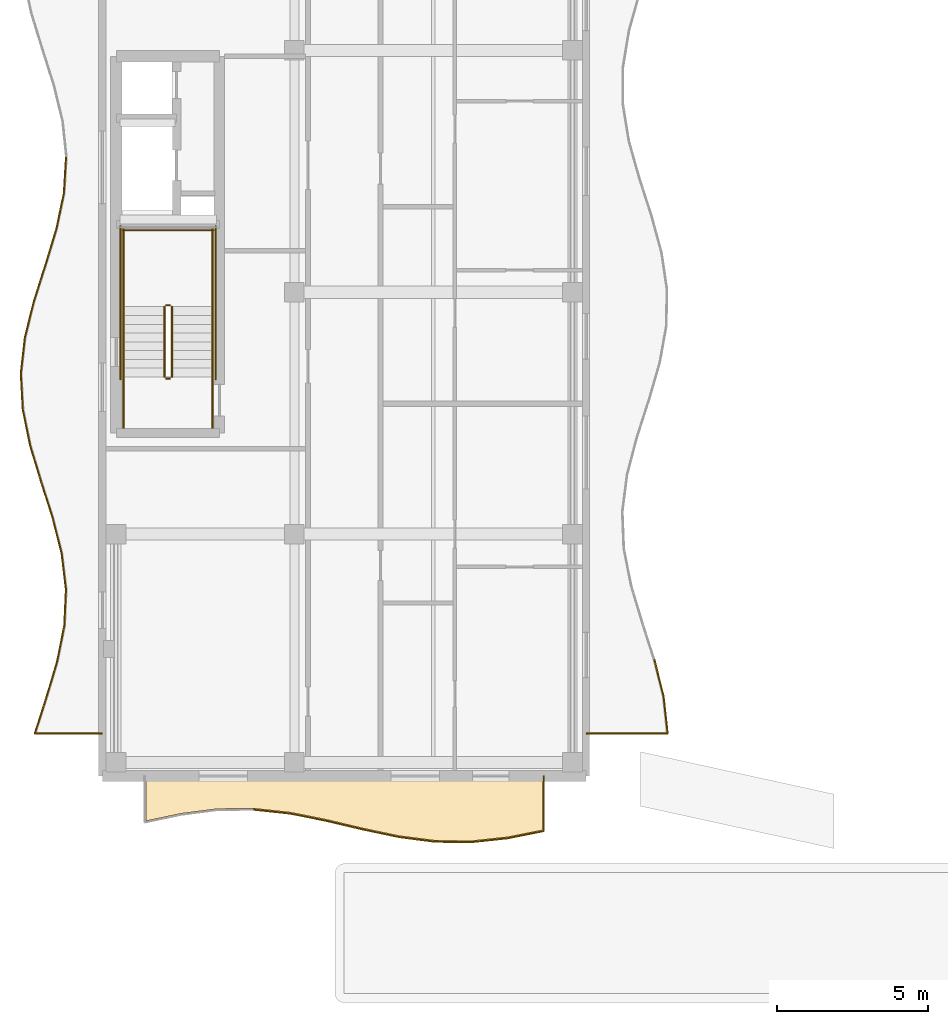
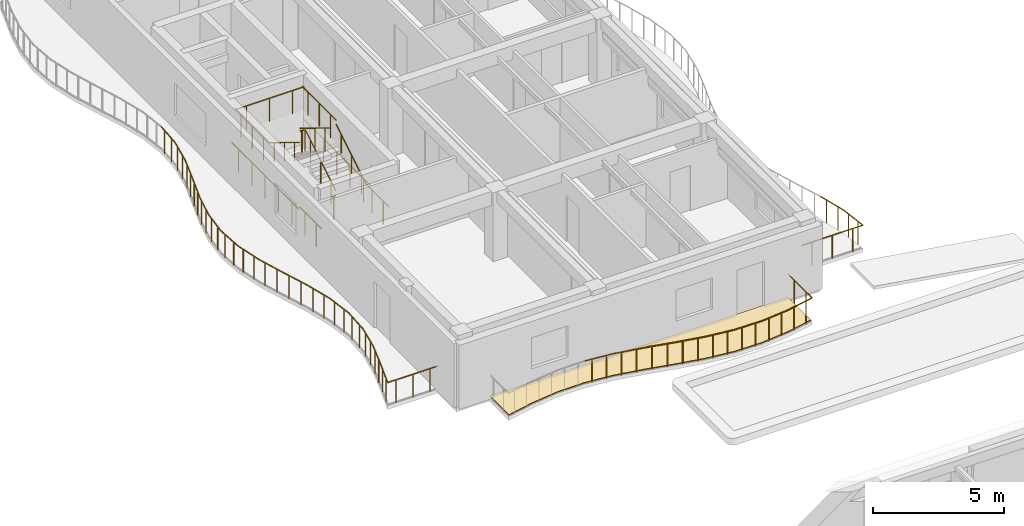
# One storey, part 103 of 128: 42 railings, 1 covering.
"""IFC4 building model written with IfcOpenShell, lengths in metres."""

from ifc_helpers import new_model, si_unit, direction, frame, origin, origin_2d, place, context, subcontext, project, spatial, polyline, circle, outline, extrude, material, layer, layer_set, type_object, element, save


model = new_model("IFC4")

# Units and contexts
model_context = context("Model", 3, precision=1e-05, world=origin(), true_north=direction((0.0, 1.0)))
body_context = subcontext(model_context, "Body", "Model", "MODEL_VIEW")
ifc_project = project(units=[si_unit("LENGTHUNIT", "METRE"), si_unit("AREAUNIT", "SQUARE_METRE"), si_unit("VOLUMEUNIT", "CUBIC_METRE"), si_unit("PLANEANGLEUNIT", "RADIAN"), si_unit("MASSUNIT", "GRAM", prefix="KILO")], contexts=[model_context])

# Site, building, storey
site_placement = place(None, origin())
site = spatial("IfcSite", under=ifc_project, at=site_placement, CompositionType="ELEMENT")
building_placement = place(site_placement, origin())
building = spatial("IfcBuilding", under=site, at=building_placement, Name="Keldmere Railside Commons", CompositionType="ELEMENT")
storey_placement = place(building_placement, frame((0.0, 0.0, 4.159912109375)))
storey = spatial("IfcBuildingStorey", under=building, at=storey_placement, Name="L01", CompositionType="ELEMENT", Elevation=4.159912109375)

# Railings
ifc_material_1 = material(Name="Steel F-24 (S235)", Category="steel")
railing_type_1 = type_object("IfcRailingType", Name="Balcony & Terrace Steel Balustrade 1100", PredefinedType="BALUSTRADE", material=ifc_material_1)
railing_1_placement = place(storey_placement, frame((24.0, 57.39990234375, 0.0)))
element("IfcRailing", 1, at=railing_1_placement, inside=storey, type_object=railing_type_1, Name="GR-1 GRD-L01-0029", PredefinedType="BALUSTRADE", context=body_context, shape_type="SweptSolid", body=[
    extrude(circle(Radius=0.02392578125, at=origin_2d()), frame((0.0, 0.0, 1.076171875), z_axis=(1.0, 0.0, 0.0), x_axis=(0.0, 1.0, 0.0)), (0.0, 0.0, 1.0), 2.697509765625),
    extrude(circle(Radius=0.02099609375, at=origin_2d()), frame((0.44970703125, 0.0, 0.0)), (0.0, 0.0, 1.0), 1.048095703125),
    extrude(circle(Radius=0.02099609375, at=origin_2d()), frame((1.3486328125, 0.0, 0.0)), (0.0, 0.0, 1.0), 1.048095703125),
    extrude(circle(Radius=0.02099609375, at=origin_2d()), frame((2.248046875, 0.0, 0.0)), (0.0, 0.0, 1.0), 1.048095703125),
])
railing_2_placement = place(storey_placement, frame((26.697509765625, 57.39990234375, 0.0)))
element("IfcRailing", 2, at=railing_2_placement, inside=storey, type_object=railing_type_1, Name="GR-1 GRD-L01-0030", PredefinedType="BALUSTRADE", context=body_context, shape_type="SweptSolid", body=[
    extrude(circle(Radius=0.02392578125, at=origin_2d()), frame((0.0, 0.0, 1.076171875), z_axis=(-0.109148667892, 0.994025436444, 0.0), x_axis=(-0.994025436444, -0.109148667892, 0.0)), (0.0, 0.0, 1.0), 1.232421875),
    extrude(circle(Radius=0.02099609375, at=origin_2d()), frame((-0.03369140625, 0.30615234375, 0.0)), (0.0, 0.0, 1.0), 1.048095703125),
    extrude(circle(Radius=0.02099609375, at=origin_2d()), frame((-0.100830078125, 0.9189453125, 0.0)), (0.0, 0.0, 1.0), 1.048095703125),
])
railing_3_placement = place(storey_placement, frame((26.56298828125, 58.625, 0.0)))
element("IfcRailing", 3, at=railing_3_placement, inside=storey, type_object=railing_type_1, Name="GR-1 GRD-L01-0031", PredefinedType="BALUSTRADE", context=body_context, shape_type="SweptSolid", body=[
    extrude(circle(Radius=0.02392578125, at=origin_2d()), frame((0.0, 0.0, 1.076171875), z_axis=(-0.241898608352, 0.970301532142, 0.0), x_axis=(-0.970301532142, -0.241898608352, 0.0)), (0.0, 0.0, 1.0), 1.2626953125),
    extrude(circle(Radius=0.02099609375, at=origin_2d()), frame((-0.076416015625, 0.30615234375, 0.0)), (0.0, 0.0, 1.0), 1.048095703125),
    extrude(circle(Radius=0.02099609375, at=origin_2d()), frame((-0.22900390625, 0.9189453125, 0.0)), (0.0, 0.0, 1.0), 1.048095703125),
])
railing_4_placement = place(storey_placement, frame((8.0, 57.39990234375, 0.0)))
element("IfcRailing", 4, at=railing_4_placement, inside=storey, type_object=railing_type_1, Name="GR-1 GRD-L01-0055", PredefinedType="BALUSTRADE", context=body_context, shape_type="SweptSolid", body=[
    extrude(circle(Radius=0.02392578125, at=origin_2d()), frame((0.0, 0.0, 1.076171875), z_axis=(-1.0, 0.0, 0.0), x_axis=(0.0, -1.0, 0.0)), (0.0, 0.0, 1.0), 2.236083984375),
    extrude(circle(Radius=0.02099609375, at=origin_2d()), frame((-0.37255859375, 0.0, 0.0)), (0.0, 0.0, 1.0), 1.048095703125),
    extrude(circle(Radius=0.02099609375, at=origin_2d()), frame((-1.1181640625, 0.0, 0.0)), (0.0, 0.0, 1.0), 1.048095703125),
    extrude(circle(Radius=0.02099609375, at=origin_2d()), frame((-1.86328125, 0.0, 0.0)), (0.0, 0.0, 1.0), 1.048095703125),
])
railing_5_placement = place(storey_placement, frame((5.763916015625, 57.39990234375, 0.0)))
element("IfcRailing", 5, at=railing_5_placement, inside=storey, type_object=railing_type_1, Name="GR-1 GRD-L01-0056", PredefinedType="BALUSTRADE", context=body_context, shape_type="SweptSolid", body=[
    extrude(circle(Radius=0.02392578125, at=origin_2d()), frame((0.0, 0.0, 1.076171875), z_axis=(0.305264037025, 0.952267750005, 0.0), x_axis=(-0.952267750005, 0.305264037025, 0.0)), (0.0, 0.0, 1.0), 1.251708984375),
    extrude(circle(Radius=0.02099609375, at=origin_2d()), frame((0.095458984375, 0.2978515625, 0.0)), (0.0, 0.0, 1.0), 1.048095703125),
    extrude(circle(Radius=0.02099609375, at=origin_2d()), frame((0.28662109375, 0.89404296875, 0.0)), (0.0, 0.0, 1.0), 1.048095703125),
])
railing_6_placement = place(storey_placement, frame((6.14599609375, 58.591796875, 0.0)))
element("IfcRailing", 6, at=railing_6_placement, inside=storey, type_object=railing_type_1, Name="GR-1 GRD-L01-0057", PredefinedType="BALUSTRADE", context=body_context, shape_type="SweptSolid", body=[
    extrude(circle(Radius=0.02392578125, at=origin_2d()), frame((0.0, 0.0, 1.076171875), z_axis=(0.286987685422, 0.957934271449, 0.0), x_axis=(-0.957934271449, 0.286987685422, 0.0)), (0.0, 0.0, 1.0), 1.24365234375),
    extrude(circle(Radius=0.02099609375, at=origin_2d()), frame((0.08935546875, 0.2978515625, 0.0)), (0.0, 0.0, 1.0), 1.048095703125),
    extrude(circle(Radius=0.02099609375, at=origin_2d()), frame((0.267578125, 0.8935546875, 0.0)), (0.0, 0.0, 1.0), 1.048095703125),
])
railing_7_placement = place(storey_placement, frame((6.5029296875, 59.783203125, 0.0)))
element("IfcRailing", 7, at=railing_7_placement, inside=storey, type_object=railing_type_1, Name="GR-1 GRD-L01-0058", PredefinedType="BALUSTRADE", context=body_context, shape_type="SweptSolid", body=[
    extrude(circle(Radius=0.02392578125, at=origin_2d()), frame((0.0, 0.0, 1.076171875), z_axis=(0.19507289493, 0.980788746705, 0.0), x_axis=(-0.980788746705, 0.19507289493, 0.0)), (0.0, 0.0, 1.0), 1.21533203125),
    extrude(circle(Radius=0.02099609375, at=origin_2d()), frame((0.059326171875, 0.2978515625, 0.0)), (0.0, 0.0, 1.0), 1.048095703125),
    extrude(circle(Radius=0.02099609375, at=origin_2d()), frame((0.177734375, 0.89404296875, 0.0)), (0.0, 0.0, 1.0), 1.048095703125),
])
railing_8_placement = place(storey_placement, frame((6.739990234375, 60.97509765625, 0.0)))
element("IfcRailing", 8, at=railing_8_placement, inside=storey, type_object=railing_type_1, Name="GR-1 GRD-L01-0059", PredefinedType="BALUSTRADE", context=body_context, shape_type="SweptSolid", body=[
    extrude(circle(Radius=0.02392578125, at=origin_2d()), frame((0.0, 0.0, 1.076171875), z_axis=(0.046048212282, 0.998939218444, 0.0), x_axis=(-0.998939218444, 0.046048212282, 0.0)), (0.0, 0.0, 1.0), 1.19287109375),
    extrude(circle(Radius=0.02099609375, at=origin_2d()), frame((0.013671875, 0.2978515625, 0.0)), (0.0, 0.0, 1.0), 1.048095703125),
    extrude(circle(Radius=0.02099609375, at=origin_2d()), frame((0.041259765625, 0.893798828125, 0.0)), (0.0, 0.0, 1.0), 1.048095703125),
])
railing_9_placement = place(storey_placement, frame((6.794921875, 62.166748046875, 0.0)))
element("IfcRailing", 9, at=railing_9_placement, inside=storey, type_object=railing_type_1, Name="GR-1 GRD-L01-0060", PredefinedType="BALUSTRADE", context=body_context, shape_type="SweptSolid", body=[
    extrude(circle(Radius=0.02392578125, at=origin_2d()), frame((0.0, 0.0, 1.076171875), z_axis=(-0.118599727701, 0.992942145641, 0.0), x_axis=(-0.992942145641, -0.118599727701, 0.0)), (0.0, 0.0, 1.0), 1.2001953125),
    extrude(circle(Radius=0.02099609375, at=origin_2d()), frame((-0.03564453125, 0.2978515625, 0.0)), (0.0, 0.0, 1.0), 1.048095703125),
    extrude(circle(Radius=0.02099609375, at=origin_2d()), frame((-0.106689453125, 0.893798828125, 0.0)), (0.0, 0.0, 1.0), 1.048095703125),
])
railing_10_placement = place(storey_placement, frame((6.652587890625, 63.3583984375, 0.0)))
element("IfcRailing", 10, at=railing_10_placement, inside=storey, type_object=railing_type_1, Name="GR-1 GRD-L01-0061", PredefinedType="BALUSTRADE", context=body_context, shape_type="SweptSolid", body=[
    extrude(circle(Radius=0.02392578125, at=origin_2d()), frame((0.0, 0.0, 1.076171875), z_axis=(-0.245105235708, 0.969496479328, 0.0), x_axis=(-0.969496479328, -0.245105235708, 0.0)), (0.0, 0.0, 1.0), 1.229248046875),
    extrude(circle(Radius=0.02099609375, at=origin_2d()), frame((-0.0751953125, 0.2978515625, 0.0)), (0.0, 0.0, 1.0), 1.048095703125),
    extrude(circle(Radius=0.02099609375, at=origin_2d()), frame((-0.22607421875, 0.893798828125, 0.0)), (0.0, 0.0, 1.0), 1.048095703125),
])
railing_11_placement = place(storey_placement, frame((6.351318359375, 64.550048828125, 0.0)))
element("IfcRailing", 11, at=railing_11_placement, inside=storey, type_object=railing_type_1, Name="GR-1 GRD-L01-0062", PredefinedType="BALUSTRADE", context=body_context, shape_type="SweptSolid", body=[
    extrude(circle(Radius=0.02392578125, at=origin_2d()), frame((0.0, 0.0, 1.076171875), z_axis=(-0.304612870321, 0.952476246021, 0.0), x_axis=(-0.952476246021, -0.304612870321, 0.0)), (0.0, 0.0, 1.0), 1.251220703125),
    extrude(circle(Radius=0.02099609375, at=origin_2d()), frame((-0.09521484375, 0.2978515625, 0.0)), (0.0, 0.0, 1.0), 1.048095703125),
    extrude(circle(Radius=0.02099609375, at=origin_2d()), frame((-0.285888671875, 0.893798828125, 0.0)), (0.0, 0.0, 1.0), 1.048095703125),
])
railing_12_placement = place(storey_placement, frame((5.97021484375, 65.74169921875, 0.0)))
element("IfcRailing", 12, at=railing_12_placement, inside=storey, type_object=railing_type_1, Name="GR-1 GRD-L01-0063", PredefinedType="BALUSTRADE", context=body_context, shape_type="SweptSolid", body=[
    extrude(circle(Radius=0.02392578125, at=origin_2d()), frame((0.0, 0.0, 1.076171875), z_axis=(-0.289092768352, 0.95730108706, 0.0), x_axis=(-0.95730108706, -0.289092768352, 0.0)), (0.0, 0.0, 1.0), 1.244873046875),
    extrude(circle(Radius=0.02099609375, at=origin_2d()), frame((-0.08984375, 0.2978515625, 0.0)), (0.0, 0.0, 1.0), 1.048095703125),
    extrude(circle(Radius=0.02099609375, at=origin_2d()), frame((-0.27001953125, 0.893798828125, 0.0)), (0.0, 0.0, 1.0), 1.048095703125),
])
railing_13_placement = place(storey_placement, frame((5.6103515625, 66.933349609375, 0.0)))
element("IfcRailing", 13, at=railing_13_placement, inside=storey, type_object=railing_type_1, Name="GR-1 GRD-L01-0064", PredefinedType="BALUSTRADE", context=body_context, shape_type="SweptSolid", body=[
    extrude(circle(Radius=0.02392578125, at=origin_2d()), frame((0.0, 0.0, 1.076171875), z_axis=(-0.200514454631, 0.979690743798, 0.0), x_axis=(-0.979690743798, -0.200514454631, 0.0)), (0.0, 0.0, 1.0), 1.21630859375),
    extrude(circle(Radius=0.02099609375, at=origin_2d()), frame((-0.06103515625, 0.2978515625, 0.0)), (0.0, 0.0, 1.0), 1.048095703125),
    extrude(circle(Radius=0.02099609375, at=origin_2d()), frame((-0.182861328125, 0.893798828125, 0.0)), (0.0, 0.0, 1.0), 1.048095703125),
])
railing_14_placement = place(storey_placement, frame((5.366455078125, 68.125, 0.0)))
element("IfcRailing", 14, at=railing_14_placement, inside=storey, type_object=railing_type_1, Name="GR-1 GRD-L01-0065", PredefinedType="BALUSTRADE", context=body_context, shape_type="SweptSolid", body=[
    extrude(circle(Radius=0.02392578125, at=origin_2d()), frame((0.0, 0.0, 1.076171875), z_axis=(-0.0527843334, 0.998605935366, 0.0), x_axis=(-0.998605935366, -0.0527843334, 0.0)), (0.0, 0.0, 1.0), 1.193359375),
    extrude(circle(Radius=0.02099609375, at=origin_2d()), frame((-0.015625, 0.2978515625, 0.0)), (0.0, 0.0, 1.0), 1.048095703125),
    extrude(circle(Radius=0.02099609375, at=origin_2d()), frame((-0.04736328125, 0.893798828125, 0.0)), (0.0, 0.0, 1.0), 1.048095703125),
])
railing_15_placement = place(storey_placement, frame((5.303466796875, 69.316650390625, 0.0)))
element("IfcRailing", 15, at=railing_15_placement, inside=storey, type_object=railing_type_1, Name="GR-1 GRD-L01-0066", PredefinedType="BALUSTRADE", context=body_context, shape_type="SweptSolid", body=[
    extrude(circle(Radius=0.02392578125, at=origin_2d()), frame((0.0, 0.0, 1.076171875), z_axis=(0.111973197087, 0.993711227236, 0.0), x_axis=(-0.993711227236, 0.111973197087, 0.0)), (0.0, 0.0, 1.0), 1.19921875),
    extrude(circle(Radius=0.02099609375, at=origin_2d()), frame((0.03369140625, 0.2978515625, 0.0)), (0.0, 0.0, 1.0), 1.048095703125),
    extrude(circle(Radius=0.02099609375, at=origin_2d()), frame((0.1005859375, 0.893798828125, 0.0)), (0.0, 0.0, 1.0), 1.048095703125),
])
railing_16_placement = place(storey_placement, frame((5.437744140625, 70.50830078125, 0.0)))
element("IfcRailing", 16, at=railing_16_placement, inside=storey, type_object=railing_type_1, Name="GR-1 GRD-L01-0067", PredefinedType="BALUSTRADE", context=body_context, shape_type="SweptSolid", body=[
    extrude(circle(Radius=0.02392578125, at=origin_2d()), frame((0.0, 0.0, 1.076171875), z_axis=(0.241178677403, 0.970480729106, 0.0), x_axis=(-0.970480729106, 0.241178677403, 0.0)), (0.0, 0.0, 1.0), 1.227783203125),
    extrude(circle(Radius=0.02099609375, at=origin_2d()), frame((0.073974609375, 0.2978515625, 0.0)), (0.0, 0.0, 1.0), 1.048095703125),
    extrude(circle(Radius=0.02099609375, at=origin_2d()), frame((0.22216796875, 0.893798828125, 0.0)), (0.0, 0.0, 1.0), 1.048095703125),
])
railing_17_placement = place(storey_placement, frame((5.73388671875, 71.699951171875, 0.0)))
element("IfcRailing", 17, at=railing_17_placement, inside=storey, type_object=railing_type_1, Name="GR-1 GRD-L01-0068", PredefinedType="BALUSTRADE", context=body_context, shape_type="SweptSolid", body=[
    extrude(circle(Radius=0.02392578125, at=origin_2d()), frame((0.0, 0.0, 1.076171875), z_axis=(0.303550105869, 0.952815477008, 0.0), x_axis=(-0.952815477008, 0.303550105869, 0.0)), (0.0, 0.0, 1.0), 1.250732421875),
    extrude(circle(Radius=0.02099609375, at=origin_2d()), frame((0.094970703125, 0.2978515625, 0.0)), (0.0, 0.0, 1.0), 1.048095703125),
    extrude(circle(Radius=0.02099609375, at=origin_2d()), frame((0.28466796875, 0.893798828125, 0.0)), (0.0, 0.0, 1.0), 1.048095703125),
])
railing_18_placement = place(storey_placement, frame((6.113525390625, 72.8916015625, 0.0)))
element("IfcRailing", 18, at=railing_18_placement, inside=storey, type_object=railing_type_1, Name="GR-1 GRD-L01-0069", PredefinedType="BALUSTRADE", context=body_context, shape_type="SweptSolid", body=[
    extrude(circle(Radius=0.02392578125, at=origin_2d()), frame((0.0, 0.0, 1.076171875), z_axis=(0.291247404468, 0.956647766626, 0.0), x_axis=(-0.956647766626, 0.291247404468, 0.0)), (0.0, 0.0, 1.0), 1.24560546875),
    extrude(circle(Radius=0.02099609375, at=origin_2d()), frame((0.0908203125, 0.2978515625, 0.0)), (0.0, 0.0, 1.0), 1.048095703125),
    extrude(circle(Radius=0.02099609375, at=origin_2d()), frame((0.27197265625, 0.893798828125, 0.0)), (0.0, 0.0, 1.0), 1.048095703125),
])
railing_19_placement = place(storey_placement, frame((6.476318359375, 74.083251953125, 0.0)))
element("IfcRailing", 19, at=railing_19_placement, inside=storey, type_object=railing_type_1, Name="GR-1 GRD-L01-0070", PredefinedType="BALUSTRADE", context=body_context, shape_type="SweptSolid", body=[
    extrude(circle(Radius=0.02392578125, at=origin_2d()), frame((0.0, 0.0, 1.076171875), z_axis=(0.205515313946, 0.978653899872, 0.0), x_axis=(-0.978653899872, 0.205515313946, 0.0)), (0.0, 0.0, 1.0), 1.217529296875),
    extrude(circle(Radius=0.02099609375, at=origin_2d()), frame((0.0625, 0.2978515625, 0.0)), (0.0, 0.0, 1.0), 1.048095703125),
    extrude(circle(Radius=0.02099609375, at=origin_2d()), frame((0.187744140625, 0.893798828125, 0.0)), (0.0, 0.0, 1.0), 1.048095703125),
])
railing_20_placement = place(storey_placement, frame((6.7265625, 75.27490234375, 0.0)))
element("IfcRailing", 20, at=railing_20_placement, inside=storey, type_object=railing_type_1, Name="GR-1 GRD-L01-0071", PredefinedType="BALUSTRADE", context=body_context, shape_type="SweptSolid", body=[
    extrude(circle(Radius=0.02392578125, at=origin_2d()), frame((0.0, 0.0, 1.076171875), z_axis=(0.059908589339, 0.998203867416, 0.0), x_axis=(-0.998203867416, 0.059908589339, 0.0)), (0.0, 0.0, 1.0), 1.194091796875),
    extrude(circle(Radius=0.02099609375, at=origin_2d()), frame((0.017822265625, 0.2978515625, 0.0)), (0.0, 0.0, 1.0), 1.048095703125),
    extrude(circle(Radius=0.02099609375, at=origin_2d()), frame((0.0537109375, 0.89404296875, 0.0)), (0.0, 0.0, 1.0), 1.048095703125),
])
railing_21_placement = place(storey_placement, frame((13.0, 54.88818359375, 0.0)))
element("IfcRailing", 21, at=railing_21_placement, inside=storey, type_object=railing_type_1, Name="GR-1 GRD-L01-0122", PredefinedType="BALUSTRADE", context=body_context, shape_type="SweptSolid", body=[
    extrude(circle(Radius=0.02392578125, at=origin_2d()), frame((0.0, 0.0, 1.076171875), z_axis=(0.994257764621, -0.107011669885, 0.0), x_axis=(0.107011669885, 0.994257764621, 0.0)), (0.0, 0.0, 1.0), 1.206787109375),
    extrude(circle(Radius=0.02099609375, at=origin_2d()), frame((0.300048828125, -0.0322265625, 0.0)), (0.0, 0.0, 1.0), 1.048095703125),
    extrude(circle(Radius=0.02099609375, at=origin_2d()), frame((0.89990234375, -0.096923828125, 0.0)), (0.0, 0.0, 1.0), 1.048095703125),
])
railing_22_placement = place(storey_placement, frame((14.199951171875, 54.759033203125, 0.0)))
element("IfcRailing", 22, at=railing_22_placement, inside=storey, type_object=railing_type_1, Name="GR-1 GRD-L01-0123", PredefinedType="BALUSTRADE", context=body_context, shape_type="SweptSolid", body=[
    extrude(circle(Radius=0.02392578125, at=origin_2d()), frame((0.0, 0.0, 1.076171875), z_axis=(0.980810255014, -0.19496472414, 0.0), x_axis=(0.19496472414, 0.980810255014, 0.0)), (0.0, 0.0, 1.0), 1.223388671875),
    extrude(circle(Radius=0.02099609375, at=origin_2d()), frame((0.300048828125, -0.0595703125, 0.0)), (0.0, 0.0, 1.0), 1.048095703125),
    extrude(circle(Radius=0.02099609375, at=origin_2d()), frame((0.89990234375, -0.178955078125, 0.0)), (0.0, 0.0, 1.0), 1.048095703125),
])
railing_23_placement = place(storey_placement, frame((15.39990234375, 54.5205078125, 0.0)))
element("IfcRailing", 23, at=railing_23_placement, inside=storey, type_object=railing_type_1, Name="GR-1 GRD-L01-0124", PredefinedType="BALUSTRADE", context=body_context, shape_type="SweptSolid", body=[
    extrude(circle(Radius=0.02392578125, at=origin_2d()), frame((0.0, 0.0, 1.076171875), z_axis=(0.97304990733, -0.23059461799, 0.0), x_axis=(0.23059461799, 0.97304990733, 0.0)), (0.0, 0.0, 1.0), 1.2333984375),
    extrude(circle(Radius=0.02099609375, at=origin_2d()), frame((0.300048828125, -0.071044921875, 0.0)), (0.0, 0.0, 1.0), 1.048095703125),
    extrude(circle(Radius=0.02099609375, at=origin_2d()), frame((0.900146484375, -0.21337890625, 0.0)), (0.0, 0.0, 1.0), 1.048095703125),
])
railing_24_placement = place(storey_placement, frame((16.60009765625, 54.236083984375, 0.0)))
element("IfcRailing", 24, at=railing_24_placement, inside=storey, type_object=railing_type_1, Name="GR-1 GRD-L01-0125", PredefinedType="BALUSTRADE", context=body_context, shape_type="SweptSolid", body=[
    extrude(circle(Radius=0.02392578125, at=origin_2d()), frame((0.0, 0.0, 1.076171875), z_axis=(0.978378372414, -0.206823017078, 0.0), x_axis=(0.206823017078, 0.978378372414, 0.0)), (0.0, 0.0, 1.0), 1.2265625),
    extrude(circle(Radius=0.02099609375, at=origin_2d()), frame((0.300048828125, -0.0634765625, 0.0)), (0.0, 0.0, 1.0), 1.048095703125),
    extrude(circle(Radius=0.02099609375, at=origin_2d()), frame((0.89990234375, -0.190185546875, 0.0)), (0.0, 0.0, 1.0), 1.048095703125),
])
railing_25_placement = place(storey_placement, frame((17.800048828125, 53.982421875, 0.0)))
element("IfcRailing", 25, at=railing_25_placement, inside=storey, type_object=railing_type_1, Name="GR-1 GRD-L01-0126", PredefinedType="BALUSTRADE", context=body_context, shape_type="SweptSolid", body=[
    extrude(circle(Radius=0.02392578125, at=origin_2d()), frame((0.0, 0.0, 1.076171875), z_axis=(0.991731539866, -0.128329859482, 0.0), x_axis=(0.128329859482, 0.991731539866, 0.0)), (0.0, 0.0, 1.0), 1.2099609375),
    extrude(circle(Radius=0.02099609375, at=origin_2d()), frame((0.300048828125, -0.038818359375, 0.0)), (0.0, 0.0, 1.0), 1.048095703125),
    extrude(circle(Radius=0.02099609375, at=origin_2d()), frame((0.89990234375, -0.116455078125, 0.0)), (0.0, 0.0, 1.0), 1.048095703125),
])
railing_26_placement = place(storey_placement, frame((19.0, 53.8271484375, 0.0)))
element("IfcRailing", 26, at=railing_26_placement, inside=storey, type_object=railing_type_1, Name="GR-1 GRD-L01-0127", PredefinedType="BALUSTRADE", context=body_context, shape_type="SweptSolid", body=[
    extrude(circle(Radius=0.02392578125, at=origin_2d()), frame((0.0, 0.0, 1.076171875), z_axis=(0.999920447375, -0.012613442063, 0.0), x_axis=(0.012613442063, 0.999920447375, 0.0)), (0.0, 0.0, 1.0), 1.199951171875),
    extrude(circle(Radius=0.02099609375, at=origin_2d()), frame((0.300048828125, -0.00390625, 0.0)), (0.0, 0.0, 1.0), 1.048095703125),
    extrude(circle(Radius=0.02099609375, at=origin_2d()), frame((0.89990234375, -0.01123046875, 0.0)), (0.0, 0.0, 1.0), 1.048095703125),
])
railing_27_placement = place(storey_placement, frame((20.199951171875, 53.81201171875, 0.0)))
element("IfcRailing", 27, at=railing_27_placement, inside=storey, type_object=railing_type_1, Name="GR-1 GRD-L01-0128", PredefinedType="BALUSTRADE", context=body_context, shape_type="SweptSolid", body=[
    extrude(circle(Radius=0.02392578125, at=origin_2d()), frame((0.0, 0.0, 1.076171875), z_axis=(0.994279268114, 0.106811689433, 0.0), x_axis=(-0.106811689433, 0.994279268114, 0.0)), (0.0, 0.0, 1.0), 1.206787109375),
    extrude(circle(Radius=0.02099609375, at=origin_2d()), frame((0.300048828125, 0.0322265625, 0.0)), (0.0, 0.0, 1.0), 1.048095703125),
    extrude(circle(Radius=0.02099609375, at=origin_2d()), frame((0.89990234375, 0.0966796875, 0.0)), (0.0, 0.0, 1.0), 1.048095703125),
])
railing_28_placement = place(storey_placement, frame((21.39990234375, 53.94091796875, 0.0)))
element("IfcRailing", 28, at=railing_28_placement, inside=storey, type_object=railing_type_1, Name="GR-1 GRD-L01-0129", PredefinedType="BALUSTRADE", context=body_context, shape_type="SweptSolid", body=[
    extrude(circle(Radius=0.02392578125, at=origin_2d()), frame((0.0, 0.0, 1.076171875), z_axis=(0.980817838102, 0.194926571974, 0.0), x_axis=(-0.194926571974, 0.980817838102, 0.0)), (0.0, 0.0, 1.0), 1.2236328125),
    extrude(circle(Radius=0.02099609375, at=origin_2d()), frame((0.300048828125, 0.0595703125, 0.0)), (0.0, 0.0, 1.0), 1.048095703125),
    extrude(circle(Radius=0.02099609375, at=origin_2d()), frame((0.900146484375, 0.178955078125, 0.0)), (0.0, 0.0, 1.0), 1.048095703125),
])
railing_29_placement = place(storey_placement, frame((22.60009765625, 54.179443359375, 0.0)))
element("IfcRailing", 29, at=railing_29_placement, inside=storey, type_object=railing_type_1, Name="GR-1 GRD-L01-0130", PredefinedType="BALUSTRADE", context=body_context, shape_type="SweptSolid", body=[
    extrude(circle(Radius=0.02392578125, at=origin_2d()), frame((0.0, 0.0, 1.076171875), z_axis=(0.0, 1.0, 0.0), x_axis=(-1.0, 0.0, 0.0)), (0.0, 0.0, 1.0), 1.820556640625),
    extrude(circle(Radius=0.02099609375, at=origin_2d()), frame((0.0, 0.455078125, 0.0)), (0.0, 0.0, 1.0), 1.048095703125),
    extrude(circle(Radius=0.02099609375, at=origin_2d()), frame((0.0, 1.365478515625, 0.0)), (0.0, 0.0, 1.0), 1.048095703125),
])
railing_type_2 = type_object("IfcRailingType", Name="Stair Well Steel Guardrail 1100", PredefinedType="BALUSTRADE", material=ifc_material_1)
railing_30_placement = place(storey_placement, frame((10.300048828125, 69.199951171875, 0.177978515625)))
element("IfcRailing", 30, at=railing_30_placement, inside=storey, type_object=railing_type_2, Name="L01 ST-D1 stair guard 1", PredefinedType="BALUSTRADE", context=body_context, shape_type="SweptSolid", body=[
    extrude(circle(Radius=0.02392578125, at=origin_2d()), frame((0.0, 0.0, 1.076171875), z_axis=(0.0, 0.852578041948, 0.522599925744), x_axis=(-1.0, 0.0, 0.0)), (0.0, 0.0, 1.0), 2.72119140625),
    extrude(circle(Radius=0.02099609375, at=origin_2d()), frame((0.0, 0.38671875, 0.237060546875)), (0.0, 0.0, 1.0), 1.048095703125),
    extrude(circle(Radius=0.02099609375, at=origin_2d()), frame((0.0, 1.16015625, 0.7109375)), (0.0, 0.0, 1.0), 1.048095703125),
    extrude(circle(Radius=0.02099609375, at=origin_2d()), frame((0.0, 1.933349609375, 1.18505859375)), (0.0, 0.0, 1.0), 1.048095703125),
])
railing_31_placement = place(storey_placement, frame((10.25, 71.570068359375, 1.60009765625)))
element("IfcRailing", 31, at=railing_31_placement, inside=storey, type_object=railing_type_2, Name="L01 ST-D1 stair guard 2", PredefinedType="BALUSTRADE", context=body_context, shape_type="SweptSolid", body=[
    extrude(circle(Radius=0.02392578125, at=origin_2d()), frame((0.0, 0.0, 1.076171875), z_axis=(-1.0, 0.0, 0.0), x_axis=(0.0, -1.0, 0.0)), (0.0, 0.0, 1.0), 0.14990234375),
    extrude(circle(Radius=0.02099609375, at=origin_2d()), frame((-0.074951171875, 0.0, 0.0)), (0.0, 0.0, 1.0), 1.048095703125),
])
for number, where, name in (
    (32, (11.64990234375, 71.52001953125, 1.60009765625), "L01 ST-D1 stair guard 3"),
    (33, (8.699951171875, 71.52001953125, 1.60009765625), "L01 ST-D1 stair guard 4"),
):
    element("IfcRailing", number, at=place(storey_placement, frame(where)), inside=storey, type_object=railing_type_2, Name=name, PredefinedType="BALUSTRADE", context=body_context, shape_type="SweptSolid", body=[
        extrude(circle(Radius=0.02392578125, at=origin_2d()), frame((0.0, 0.0, 1.076171875), z_axis=(0.0, 1.0, 0.0), x_axis=(-1.0, 0.0, 0.0)), (0.0, 0.0, 1.0), 2.580078125),
        extrude(circle(Radius=0.02099609375, at=origin_2d()), frame((0.0, 0.429931640625, 0.0)), (0.0, 0.0, 1.0), 1.048095703125),
        extrude(circle(Radius=0.02099609375, at=origin_2d()), frame((0.0, 1.2900390625, 0.0)), (0.0, 0.0, 1.0), 1.048095703125),
        extrude(circle(Radius=0.02099609375, at=origin_2d()), frame((0.0, 2.150146484375, 0.0)), (0.0, 0.0, 1.0), 1.048095703125),
    ])
railing_32_placement = place(storey_placement, frame((11.699951171875, 74.050048828125, 1.60009765625)))
element("IfcRailing", 34, at=railing_32_placement, inside=storey, type_object=railing_type_2, Name="L01 ST-D1 stair guard 5", PredefinedType="BALUSTRADE", context=body_context, shape_type="SweptSolid", body=[
    extrude(circle(Radius=0.02392578125, at=origin_2d()), frame((0.0, 0.0, 1.076171875), z_axis=(-1.0, 0.0, 0.0), x_axis=(0.0, -1.0, 0.0)), (0.0, 0.0, 1.0), 3.050048828125),
    extrude(circle(Radius=0.02099609375, at=origin_2d()), frame((-0.50830078125, 0.0, 0.0)), (0.0, 0.0, 1.0), 1.048095703125),
    extrude(circle(Radius=0.02099609375, at=origin_2d()), frame((-1.52490234375, 0.0, 0.0)), (0.0, 0.0, 1.0), 1.048095703125),
    extrude(circle(Radius=0.02099609375, at=origin_2d()), frame((-2.541748046875, 0.0, 0.0)), (0.0, 0.0, 1.0), 1.048095703125),
])
railing_33_placement = place(storey_placement, frame((10.050048828125, 71.52001953125, 1.77783203125)))
element("IfcRailing", 35, at=railing_33_placement, inside=storey, type_object=railing_type_2, Name="L01 ST-D1 stair guard 6", PredefinedType="BALUSTRADE", context=body_context, shape_type="SweptSolid", body=[
    extrude(circle(Radius=0.02392578125, at=origin_2d()), frame((0.0, 0.0, 1.076171875), z_axis=(0.0, -0.852538067394, 0.522665135287), x_axis=(1.0, 0.0, 0.0)), (0.0, 0.0, 1.0), 2.721435546875),
    extrude(circle(Radius=0.02099609375, at=origin_2d()), frame((0.0, -0.38671875, 0.237060546875)), (0.0, 0.0, 1.0), 1.048095703125),
    extrude(circle(Radius=0.02099609375, at=origin_2d()), frame((0.0, -1.16015625, 0.711181640625)), (0.0, 0.0, 1.0), 1.048095703125),
    extrude(circle(Radius=0.02099609375, at=origin_2d()), frame((0.0, -1.933349609375, 1.185302734375)), (0.0, 0.0, 1.0), 1.048095703125),
])
railing_34_placement = place(storey_placement, frame((10.25, 69.14990234375, 0.0)))
element("IfcRailing", 36, at=railing_34_placement, inside=storey, type_object=railing_type_2, Name="L01 ST-D1 stair guard 7", PredefinedType="BALUSTRADE", context=body_context, shape_type="SweptSolid", body=[
    extrude(circle(Radius=0.02392578125, at=origin_2d()), frame((0.0, 0.0, 1.076171875), z_axis=(-1.0, 0.0, 0.0), x_axis=(0.0, -1.0, 0.0)), (0.0, 0.0, 1.0), 0.14990234375),
    extrude(circle(Radius=0.02099609375, at=origin_2d()), frame((-0.074951171875, 0.0, 0.0)), (0.0, 0.0, 1.0), 1.048095703125),
])
for number, where, name in (
    (37, (11.64990234375, 67.5, 0.0), "L01 ST-D1 stair guard 8"),
    (38, (8.699951171875, 67.5, 0.0), "L01 ST-D1 stair guard 9"),
):
    element("IfcRailing", number, at=place(storey_placement, frame(where)), inside=storey, type_object=railing_type_2, Name=name, PredefinedType="BALUSTRADE", context=body_context, shape_type="SweptSolid", body=[
        extrude(circle(Radius=0.02392578125, at=origin_2d()), frame((0.0, 0.0, 1.076171875), z_axis=(0.0, 1.0, 0.0), x_axis=(-1.0, 0.0, 0.0)), (0.0, 0.0, 1.0), 1.699951171875),
        extrude(circle(Radius=0.02099609375, at=origin_2d()), frame((0.0, 0.425048828125, 0.0)), (0.0, 0.0, 1.0), 1.048095703125),
        extrude(circle(Radius=0.02099609375, at=origin_2d()), frame((0.0, 1.27490234375, 0.0)), (0.0, 0.0, 1.0), 1.048095703125),
    ])
for number, where, name in (
    (39, (11.75, 69.10009765625, 0.0), "L01 ST-D1 stair guard 10"),
    (40, (8.60009765625, 69.10009765625, 0.0), "L01 ST-D1 stair guard 11"),
):
    element("IfcRailing", number, at=place(storey_placement, frame(where)), inside=storey, type_object=railing_type_2, Name=name, PredefinedType="BALUSTRADE", context=body_context, shape_type="SweptSolid", body=[
        extrude(circle(Radius=0.02392578125, at=origin_2d()), frame((0.0, 0.0, 1.076171875), z_axis=(0.0, 1.0, 0.0), x_axis=(-1.0, 0.0, 0.0)), (0.0, 0.0, 1.0), 5.099853515625),
        extrude(circle(Radius=0.02099609375, at=origin_2d()), frame((0.0, 0.510009765625, 0.0)), (0.0, 0.0, 1.0), 1.048095703125),
        extrude(circle(Radius=0.02099609375, at=origin_2d()), frame((0.0, 1.530029296875, 0.0)), (0.0, 0.0, 1.0), 1.048095703125),
        extrude(circle(Radius=0.02099609375, at=origin_2d()), frame((0.0, 2.5498046875, 0.0)), (0.0, 0.0, 1.0), 1.048095703125),
        extrude(circle(Radius=0.02099609375, at=origin_2d()), frame((0.0, 3.56982421875, 0.0)), (0.0, 0.0, 1.0), 1.048095703125),
        extrude(circle(Radius=0.02099609375, at=origin_2d()), frame((0.0, 4.58984375, 0.0)), (0.0, 0.0, 1.0), 1.048095703125),
    ])
railing_type_3 = type_object("IfcRailingType", Name="Wall-Mounted Tubular Steel Handrail 900", PredefinedType="HANDRAIL", material=ifc_material_1)
railing_35_placement = place(storey_placement, frame((11.64990234375, 69.199951171875, 0.177978515625)))
element("IfcRailing", 41, at=railing_35_placement, inside=storey, type_object=railing_type_3, Name="L01 ST-D1 stair handrail 1", PredefinedType="HANDRAIL", context=body_context, shape_type="SweptSolid", body=[
    extrude(circle(Radius=0.02392578125, at=origin_2d()), frame((0.0, 0.0, 0.8759765625), z_axis=(0.0, 0.852578041948, 0.522599925744), x_axis=(-1.0, 0.0, 0.0)), (0.0, 0.0, 1.0), 2.72119140625),
    extrude(circle(Radius=0.02099609375, at=origin_2d()), frame((0.0, 0.38671875, 0.237060546875)), (0.0, 0.0, 1.0), 0.847900390625),
    extrude(circle(Radius=0.02099609375, at=origin_2d()), frame((0.0, 1.16015625, 0.7109375)), (0.0, 0.0, 1.0), 0.847900390625),
    extrude(circle(Radius=0.02099609375, at=origin_2d()), frame((0.0, 1.933349609375, 1.18505859375)), (0.0, 0.0, 1.0), 0.847900390625),
])
railing_36_placement = place(storey_placement, frame((8.699951171875, 71.52001953125, 1.77783203125)))
element("IfcRailing", 42, at=railing_36_placement, inside=storey, type_object=railing_type_3, Name="L01 ST-D1 stair handrail 2", PredefinedType="HANDRAIL", context=body_context, shape_type="SweptSolid", body=[
    extrude(circle(Radius=0.02392578125, at=origin_2d()), frame((0.0, 0.0, 0.8759765625), z_axis=(0.0, -0.852538067394, 0.522665135287), x_axis=(1.0, 0.0, 0.0)), (0.0, 0.0, 1.0), 2.721435546875),
    extrude(circle(Radius=0.02099609375, at=origin_2d()), frame((0.0, -0.38671875, 0.237060546875)), (0.0, 0.0, 1.0), 0.847900390625),
    extrude(circle(Radius=0.02099609375, at=origin_2d()), frame((0.0, -1.16015625, 0.711181640625)), (0.0, 0.0, 1.0), 0.847900390625),
    extrude(circle(Radius=0.02099609375, at=origin_2d()), frame((0.0, -1.933349609375, 1.185302734375)), (0.0, 0.0, 1.0), 0.847900390625),
])

# Covering
ifc_material_2 = material(Name="White Precast Concrete C35/45", Category="concrete")
ifc_layer = layer(ifc_material_2, 0.044921875, Name="White Architectural Balcony Ribbon Cladding 45")
ifc_layer_set = layer_set([ifc_layer], Name="White Precast Concrete C35/45")
covering_type = type_object("IfcCoveringType", Name="White Architectural Balcony Ribbon Cladding 45", PredefinedType="FLOORING", material=ifc_layer_set)
covering_placement = place(storey_placement, origin())
element("IfcCovering", 43, at=covering_placement, inside=storey, type_object=covering_type, Name="CLG-WB D L01 S White Balcony Ribbon", PredefinedType="FLOORING", context=body_context, shape_type="SweptSolid", body=[
    extrude(outline(polyline([(10.591796875, 54.756591796875), (10.594970703125, 54.75732421875), (11.794921875, 54.91259765625), (11.799560546875, 54.912841796875), (12.99951171875, 54.927978515625), (13.00439453125, 54.927978515625), (14.204345703125, 54.798828125), (14.207763671875, 54.79833984375), (15.40771484375, 54.559814453125), (15.4091796875, 54.559326171875), (16.60888671875, 54.275146484375), (17.806640625, 54.02197265625), (19.002685546875, 53.8671875), (20.197998046875, 53.851806640625), (21.393798828125, 53.98046875), (22.56005859375, 54.21240234375), (22.56005859375, 55.9599609375), (9.43994140625, 55.9599609375), (9.43994140625, 54.51318359375), (10.591796875, 54.756591796875)])), origin(), (0.0, 0.0, 1.0), 0.045166015625),
])

save(model, "model.ifc")
